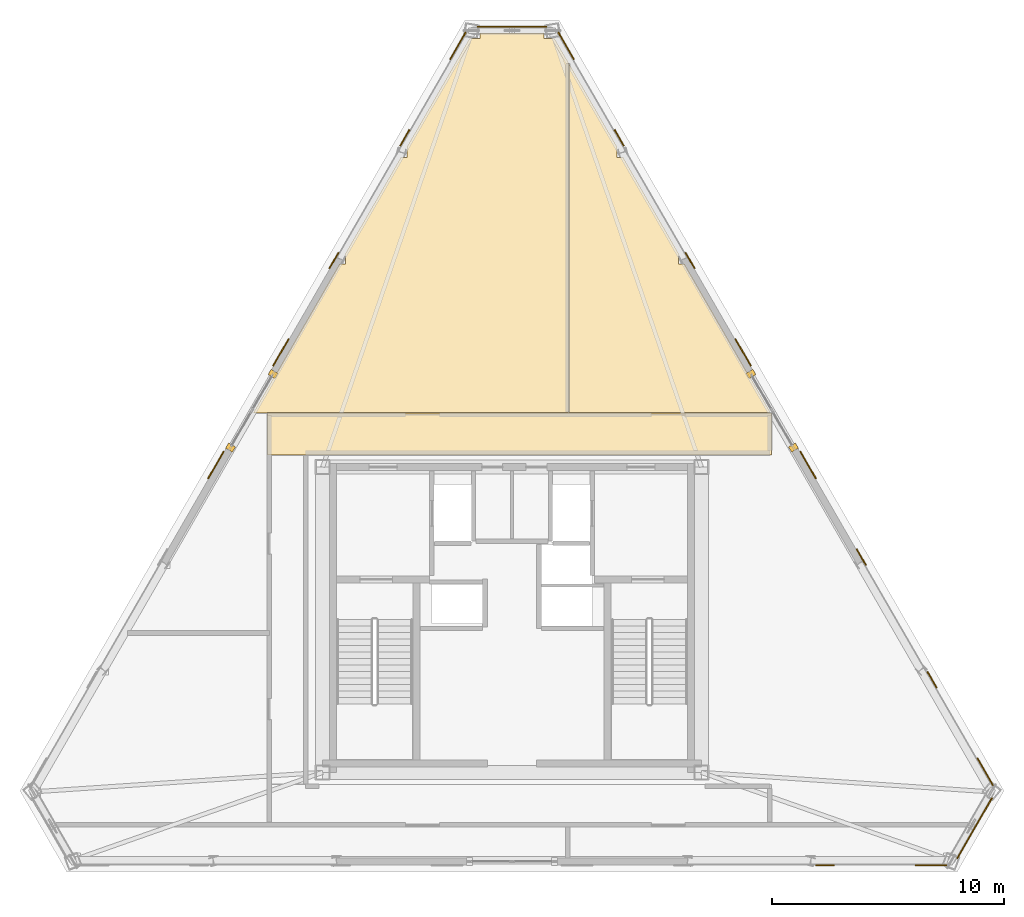
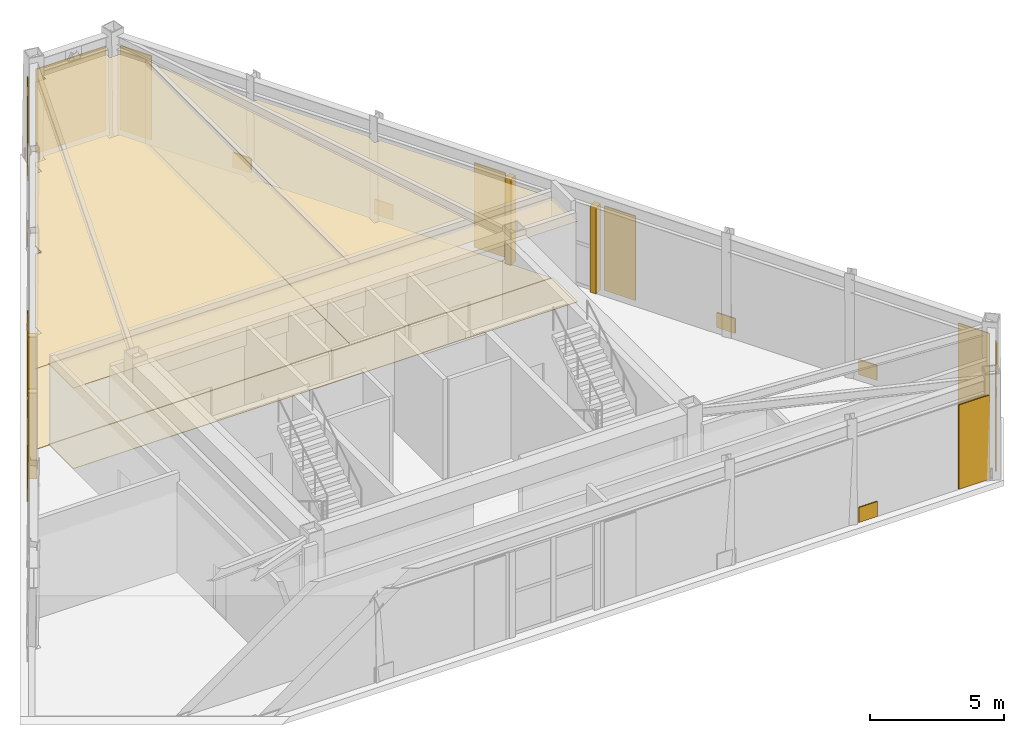
# One storey, part 12 of 12: 27 coverings.
"""IFC4 building model written with IfcOpenShell, lengths in metres."""

from ifc_helpers import new_model, si_unit, direction, frame, origin, origin_2d, place, context, subcontext, project, spatial, polyline, rectangle, outline, extrude, material, layer, layer_set, type_object, element, save


model = new_model("IFC4")

# Units and contexts
model_context = context("Model", 3, precision=1e-05, world=origin(), true_north=direction((0.0, 1.0)))
body_context = subcontext(model_context, "Body", "Model", "MODEL_VIEW")
ifc_project = project(units=[si_unit("LENGTHUNIT", "METRE"), si_unit("AREAUNIT", "SQUARE_METRE"), si_unit("VOLUMEUNIT", "CUBIC_METRE"), si_unit("PLANEANGLEUNIT", "RADIAN"), si_unit("MASSUNIT", "GRAM", prefix="KILO")], contexts=[model_context])

# Site, building, storey
site_placement = place(None, origin())
site = spatial("IfcSite", under=ifc_project, at=site_placement, CompositionType="ELEMENT")
building_placement = place(site_placement, origin())
building = spatial("IfcBuilding", under=site, at=building_placement, Name="Oramaril Tower", CompositionType="ELEMENT")
storey_placement = place(building_placement, frame((0.0, 0.0, 314.10009765625)))
storey = spatial("IfcBuildingStorey", under=building, at=storey_placement, Name="L82", CompositionType="ELEMENT", Elevation=314.10009765625)

# Coverings
ifc_material_1 = material(Name="Mineral Fibre Acoustic Ceiling")
ifc_layer_1 = layer(ifc_material_1, 0.02001953125)
ifc_layer_set_1 = layer_set([ifc_layer_1], Name="CVT-CEIL")
covering_type_1 = type_object("IfcCoveringType", Name="CVT-CEIL", PredefinedType="CEILING", material=ifc_layer_set_1)
covering_1_placement = place(storey_placement, frame((0.0, 0.0, 3.671875)))
element("IfcCovering", 1, at=covering_1_placement, inside=storey, type_object=covering_type_1, Name="L82 Acoustic Suspended Ceiling 2", PredefinedType="CEILING", context=body_context, shape_type="SweptSolid", body=[
    extrude(outline(polyline([(48.679931640625, 26.47998046875), (48.679931640625, 24.669921875), (26.969970703125, 24.669921875), (26.969970703125, 26.47998046875), (48.679931640625, 26.47998046875)])), origin(), (0.0, 0.0, 1.0), 0.02001953125),
])
covering_2_placement = place(storey_placement, frame((0.0, 0.0, 3.671875)))
element("IfcCovering", 2, at=covering_2_placement, inside=storey, type_object=covering_type_1, Name="L82 Acoustic Suspended Ceiling 8", PredefinedType="CEILING", context=body_context, shape_type="SweptSolid", body=[
    extrude(outline(polyline([(30.333984375, 32.8857421875), (30.333984375, 33.319091796875), (30.31982421875, 33.319091796875), (32.717529296875, 37.47216796875), (32.98193359375, 37.47216796875), (32.98193359375, 37.900146484375), (32.96484375, 37.900146484375), (35.67822265625, 42.60009765625), (36.12158203125, 42.60009765625), (36.12158203125, 42.8212890625), (38.87841796875, 42.8212890625), (38.87841796875, 42.60009765625), (39.32177734375, 42.60009765625), (39.94189453125, 41.525634765625), (39.94189453125, 26.5), (26.969970703125, 26.5), (26.968017578125, 26.5), (26.966064453125, 26.49951171875), (26.964111328125, 26.4990234375), (26.96240234375, 26.49853515625), (26.960693359375, 26.49755859375), (26.958984375, 26.49658203125), (26.957275390625, 26.49560546875), (26.955810546875, 26.494140625), (26.95458984375, 26.49267578125), (26.953369140625, 26.4912109375), (26.952392578125, 26.489501953125), (26.951416015625, 26.48779296875), (26.950927734375, 26.48583984375), (26.950439453125, 26.48388671875), (26.9501953125, 26.48193359375), (26.949951171875, 26.47998046875), (26.949951171875, 26.4619140625), (26.361083984375, 26.4619140625), (30.069580078125, 32.8857421875), (30.333984375, 32.8857421875)])), origin(), (0.0, 0.0, 1.0), 0.02001953125),
])
covering_3_placement = place(storey_placement, frame((0.0, 0.0, 3.671875)))
element("IfcCovering", 3, at=covering_3_placement, inside=storey, type_object=covering_type_1, Name="L82 Acoustic Suspended Ceiling 9", PredefinedType="CEILING", context=body_context, shape_type="SweptSolid", body=[
    extrude(outline(polyline([(42.03515625, 37.900146484375), (42.01806640625, 37.900146484375), (42.01806640625, 37.47216796875), (42.282470703125, 37.47216796875), (44.68017578125, 33.319091796875), (44.666015625, 33.319091796875), (44.666015625, 32.8857421875), (44.930419921875, 32.8857421875), (48.6171875, 26.5), (39.9619140625, 26.5), (39.9619140625, 41.4912109375), (42.03515625, 37.900146484375)])), origin(), (0.0, 0.0, 1.0), 0.02001953125),
])
ifc_material_2 = material(Name="Warm Cream Limestone", Category="masonry")
ifc_layer_2 = layer(ifc_material_2, 0.050048828125)
ifc_layer_set_2 = layer_set([ifc_layer_2], Name="CVT-CLD")
covering_type_2 = type_object("IfcCoveringType", Name="CVT-CLD", PredefinedType="CLADDING", material=ifc_layer_set_2)
covering_4_placement = place(storey_placement, frame((55.54248046875, 6.996337890625, 0.0400390625), z_axis=(0.0, 0.0, 1.0), x_axis=(1.0, 0.0, 0.0)))
element("IfcCovering", 4, at=covering_4_placement, inside=storey, type_object=covering_type_2, Name="L82 Warm Cream Limestone Cladding", PredefinedType="CLADDING", context=body_context, shape_type="SweptSolid", body=[
    extrude(rectangle(XDim=1.35009765625, YDim=0.050048828125, at=origin_2d()), origin(), (0.0, 0.0, 1.0), 3.837890625),
])
covering_5_placement = place(storey_placement, frame((50.970947265625, 6.996337890625, 0.0400390625), z_axis=(0.0, 0.0, 1.0), x_axis=(1.0, 0.0, 0.0)))
element("IfcCovering", 5, at=covering_5_placement, inside=storey, type_object=covering_type_2, Name="L82 Warm Cream Limestone Spandrel Cladding", PredefinedType="CLADDING", context=body_context, shape_type="SweptSolid", body=[
    extrude(rectangle(XDim=0.800048828125, YDim=0.050048828125, at=origin_2d()), origin(), (0.0, 0.0, 1.0), 0.679931640625),
])
covering_6_placement = place(storey_placement, frame((57.416259765625, 8.601318359375, 0.0400390625), z_axis=(0.0, 0.0, 1.0), x_axis=(0.5, 0.866025403784, 0.0)))
element("IfcCovering", 6, at=covering_6_placement, inside=storey, type_object=covering_type_2, Name="L82 Warm Cream Limestone Cladding", PredefinedType="CLADDING", context=body_context, shape_type="SweptSolid", body=[
    extrude(rectangle(XDim=3.0126953125, YDim=0.050048828125, at=origin_2d()), origin(), (0.0, 0.0, 1.0), 3.837890625),
])
for number, where, z_axis, x_axis, name in (
    (7, (49.61767578125, 24.98291015625, 0.0), (0.0, 0.0, 1.0), (-0.5, 0.866025403784, 0.0), "L82 Curtain Wall Limestone Jamb Closure"),
    (8, (47.78759765625, 28.152587890625, 0.0), (0.0, 0.0, 1.0), (-0.5, 0.866025403784, 0.0), "L82 Curtain Wall Limestone Jamb Closure"),
):
    element("IfcCovering", number, at=place(storey_placement, frame(where, z_axis=z_axis, x_axis=x_axis)), inside=storey, type_object=covering_type_2, Name=name, PredefinedType="CLADDING", context=body_context, shape_type="SweptSolid", body=[
        extrude(rectangle(XDim=0.260009765625, YDim=0.340087890625, at=origin_2d()), origin(), (0.0, 0.0, 1.0), 3.91796875),
    ])
for number, where, z_axis, x_axis, name in (
    (9, (57.869384765625, 11.0263671875, 0.0400390625), (0.0, 0.0, 1.0), (-0.4999984885, 0.866026276448, 0.0), "L82 Warm Cream Limestone Cladding"),
    (10, (50.248046875, 24.22705078125, 0.0400390625), (0.0, 0.0, 1.0), (-0.4999984885, 0.866026276448, 0.0), "L82 Warm Cream Limestone Cladding"),
):
    element("IfcCovering", number, at=place(storey_placement, frame(where, z_axis=z_axis, x_axis=x_axis)), inside=storey, type_object=covering_type_2, Name=name, PredefinedType="CLADDING", context=body_context, shape_type="SweptSolid", body=[
        extrude(rectangle(XDim=1.35009765625, YDim=0.050048828125, at=origin_2d()), origin(), (0.0, 0.0, 1.0), 3.837890625),
    ])
for number, where, z_axis, x_axis, name in (
    (11, (55.58349609375, 14.985595703125, 0.0400390625), (0.0, 0.0, 1.0), (-0.4999984885, 0.866026276448, 0.0), "L82 Warm Cream Limestone Spandrel Cladding"),
    (12, (52.533935546875, 20.267822265625, 0.0400390625), (0.0, 0.0, 1.0), (-0.4999984885, 0.866026276448, 0.0), "L82 Warm Cream Limestone Spandrel Cladding"),
):
    element("IfcCovering", number, at=place(storey_placement, frame(where, z_axis=z_axis, x_axis=x_axis)), inside=storey, type_object=covering_type_2, Name=name, PredefinedType="CLADDING", context=body_context, shape_type="SweptSolid", body=[
        extrude(rectangle(XDim=0.800048828125, YDim=0.050048828125, at=origin_2d()), origin(), (0.0, 0.0, 1.0), 0.679931640625),
    ])
for number, where, z_axis, x_axis, name in (
    (13, (47.447998046875, 29.07666015625, 0.0400390625), (0.0, 0.0, 1.0), (-0.4999984885, 0.866026276448, 0.0), "L82 Warm Cream Limestone Cladding"),
    (14, (39.826904296875, 42.27734375, 0.0400390625), (0.0, 0.0, 1.0), (-0.4999984885, 0.866026276448, 0.0), "L82 Warm Cream Limestone Cladding"),
):
    element("IfcCovering", number, at=place(storey_placement, frame(where, z_axis=z_axis, x_axis=x_axis)), inside=storey, type_object=covering_type_2, Name=name, PredefinedType="CLADDING", context=body_context, shape_type="SweptSolid", body=[
        extrude(rectangle(XDim=1.35009765625, YDim=0.050048828125, at=origin_2d()), origin(), (0.0, 0.0, 1.0), 3.837890625),
    ])
for number, where, z_axis, x_axis, name in (
    (15, (45.162353515625, 33.035888671875, 0.0400390625), (0.0, 0.0, 1.0), (-0.4999984885, 0.866026276448, 0.0), "L82 Warm Cream Limestone Spandrel Cladding"),
    (16, (42.112548828125, 38.318115234375, 0.0400390625), (0.0, 0.0, 1.0), (-0.4999984885, 0.866026276448, 0.0), "L82 Warm Cream Limestone Spandrel Cladding"),
):
    element("IfcCovering", number, at=place(storey_placement, frame(where, z_axis=z_axis, x_axis=x_axis)), inside=storey, type_object=covering_type_2, Name=name, PredefinedType="CLADDING", context=body_context, shape_type="SweptSolid", body=[
        extrude(rectangle(XDim=0.800048828125, YDim=0.050048828125, at=origin_2d()), origin(), (0.0, 0.0, 1.0), 0.679931640625),
    ])
covering_7_placement = place(storey_placement, frame((37.5, 43.097412109375, 0.0400390625), z_axis=(0.0, 0.0, 1.0), x_axis=(-1.0, 0.0, 0.0)))
element("IfcCovering", 17, at=covering_7_placement, inside=storey, type_object=covering_type_2, Name="L82 Warm Cream Limestone Cladding", PredefinedType="CLADDING", context=body_context, shape_type="SweptSolid", body=[
    extrude(rectangle(XDim=3.0126953125, YDim=0.050048828125, at=origin_2d()), origin(), (0.0, 0.0, 1.0), 3.837890625),
])
for number, where, z_axis, x_axis, name in (
    (18, (27.21240234375, 28.152587890625, 0.0), (0.0, 0.0, 1.0), (-0.5, -0.866025403784, 0.0), "L82 Curtain Wall Limestone Jamb Closure"),
    (19, (25.38232421875, 24.98291015625, 0.0), (0.0, 0.0, 1.0), (-0.5, -0.866025403784, 0.0), "L82 Curtain Wall Limestone Jamb Closure"),
):
    element("IfcCovering", number, at=place(storey_placement, frame(where, z_axis=z_axis, x_axis=x_axis)), inside=storey, type_object=covering_type_2, Name=name, PredefinedType="CLADDING", context=body_context, shape_type="SweptSolid", body=[
        extrude(rectangle(XDim=0.260009765625, YDim=0.340087890625, at=origin_2d()), origin(), (0.0, 0.0, 1.0), 3.91796875),
    ])
for number, where, z_axis, x_axis, name in (
    (20, (35.173095703125, 42.27734375, 0.0400390625), (0.0, 0.0, 1.0), (-0.4999984885, -0.866026276448, 0.0), "L82 Warm Cream Limestone Cladding"),
    (21, (27.552001953125, 29.07666015625, 0.0400390625), (0.0, 0.0, 1.0), (-0.4999984885, -0.866026276448, 0.0), "L82 Warm Cream Limestone Cladding"),
):
    element("IfcCovering", number, at=place(storey_placement, frame(where, z_axis=z_axis, x_axis=x_axis)), inside=storey, type_object=covering_type_2, Name=name, PredefinedType="CLADDING", context=body_context, shape_type="SweptSolid", body=[
        extrude(rectangle(XDim=1.35009765625, YDim=0.050048828125, at=origin_2d()), origin(), (0.0, 0.0, 1.0), 3.837890625),
    ])
for number, where, z_axis, x_axis, name in (
    (22, (32.887451171875, 38.318115234375, 0.0400390625), (0.0, 0.0, 1.0), (-0.4999984885, -0.866026276448, 0.0), "L82 Warm Cream Limestone Spandrel Cladding"),
    (23, (29.837646484375, 33.035888671875, 0.0400390625), (0.0, 0.0, 1.0), (-0.4999984885, -0.866026276448, 0.0), "L82 Warm Cream Limestone Spandrel Cladding"),
):
    element("IfcCovering", number, at=place(storey_placement, frame(where, z_axis=z_axis, x_axis=x_axis)), inside=storey, type_object=covering_type_2, Name=name, PredefinedType="CLADDING", context=body_context, shape_type="SweptSolid", body=[
        extrude(rectangle(XDim=0.800048828125, YDim=0.050048828125, at=origin_2d()), origin(), (0.0, 0.0, 1.0), 0.679931640625),
    ])
covering_8_placement = place(storey_placement, frame((24.751953125, 24.22705078125, 0.0400390625), z_axis=(0.0, 0.0, 1.0), x_axis=(-0.4999984885, -0.866026276448, 0.0)))
element("IfcCovering", 24, at=covering_8_placement, inside=storey, type_object=covering_type_2, Name="L82 Warm Cream Limestone Cladding", PredefinedType="CLADDING", context=body_context, shape_type="SweptSolid", body=[
    extrude(rectangle(XDim=1.35009765625, YDim=0.050048828125, at=origin_2d()), origin(), (0.0, 0.0, 1.0), 3.837890625),
])
ifc_material_3 = material(Name="Honed Quartzite Stone Flooring", Category="masonry")
ifc_layer_3 = layer(ifc_material_3, 0.02490234375)
ifc_layer_set_3 = layer_set([ifc_layer_3], Name="CVT-FLR")
covering_type_3 = type_object("IfcCoveringType", Name="CVT-FLR", PredefinedType="FLOORING", material=ifc_layer_set_3)
covering_9_placement = place(storey_placement, origin())
element("IfcCovering", 25, at=covering_9_placement, inside=storey, type_object=covering_type_3, Name="L82 Honed Stone Floor Finish 2", PredefinedType="FLOORING", context=body_context, shape_type="SweptSolid", body=[
    extrude(outline(polyline([(48.679931640625, 26.47998046875), (48.679931640625, 24.669921875), (26.969970703125, 24.669921875), (26.969970703125, 26.47998046875), (48.679931640625, 26.47998046875)])), origin(), (0.0, 0.0, 1.0), 0.02490234375),
])
covering_10_placement = place(storey_placement, origin())
element("IfcCovering", 26, at=covering_10_placement, inside=storey, type_object=covering_type_3, Name="L82 Honed Stone Floor Finish 8", PredefinedType="FLOORING", context=body_context, shape_type="SweptSolid", body=[
    extrude(outline(polyline([(30.333984375, 32.8857421875), (30.333984375, 33.319091796875), (30.31982421875, 33.319091796875), (32.717529296875, 37.47216796875), (32.98193359375, 37.47216796875), (32.98193359375, 37.900146484375), (32.96484375, 37.900146484375), (35.67822265625, 42.60009765625), (36.12158203125, 42.60009765625), (36.12158203125, 42.8212890625), (38.87841796875, 42.8212890625), (38.87841796875, 42.60009765625), (39.32177734375, 42.60009765625), (39.94189453125, 41.525634765625), (39.94189453125, 26.5), (26.969970703125, 26.5), (26.968017578125, 26.5), (26.966064453125, 26.49951171875), (26.964111328125, 26.4990234375), (26.96240234375, 26.49853515625), (26.960693359375, 26.49755859375), (26.958984375, 26.49658203125), (26.957275390625, 26.49560546875), (26.955810546875, 26.494140625), (26.95458984375, 26.49267578125), (26.953369140625, 26.4912109375), (26.952392578125, 26.489501953125), (26.951416015625, 26.48779296875), (26.950927734375, 26.48583984375), (26.950439453125, 26.48388671875), (26.9501953125, 26.48193359375), (26.949951171875, 26.47998046875), (26.949951171875, 26.4619140625), (26.361083984375, 26.4619140625), (30.069580078125, 32.8857421875), (30.333984375, 32.8857421875)])), origin(), (0.0, 0.0, 1.0), 0.02490234375),
])
covering_11_placement = place(storey_placement, origin())
element("IfcCovering", 27, at=covering_11_placement, inside=storey, type_object=covering_type_3, Name="L82 Honed Stone Floor Finish 9", PredefinedType="FLOORING", context=body_context, shape_type="SweptSolid", body=[
    extrude(outline(polyline([(42.03515625, 37.900146484375), (42.01806640625, 37.900146484375), (42.01806640625, 37.47216796875), (42.282470703125, 37.47216796875), (44.68017578125, 33.319091796875), (44.666015625, 33.319091796875), (44.666015625, 32.8857421875), (44.930419921875, 32.8857421875), (48.6171875, 26.5), (39.9619140625, 26.5), (39.9619140625, 41.4912109375), (42.03515625, 37.900146484375)])), origin(), (0.0, 0.0, 1.0), 0.02490234375),
])

save(model, "model.ifc")
